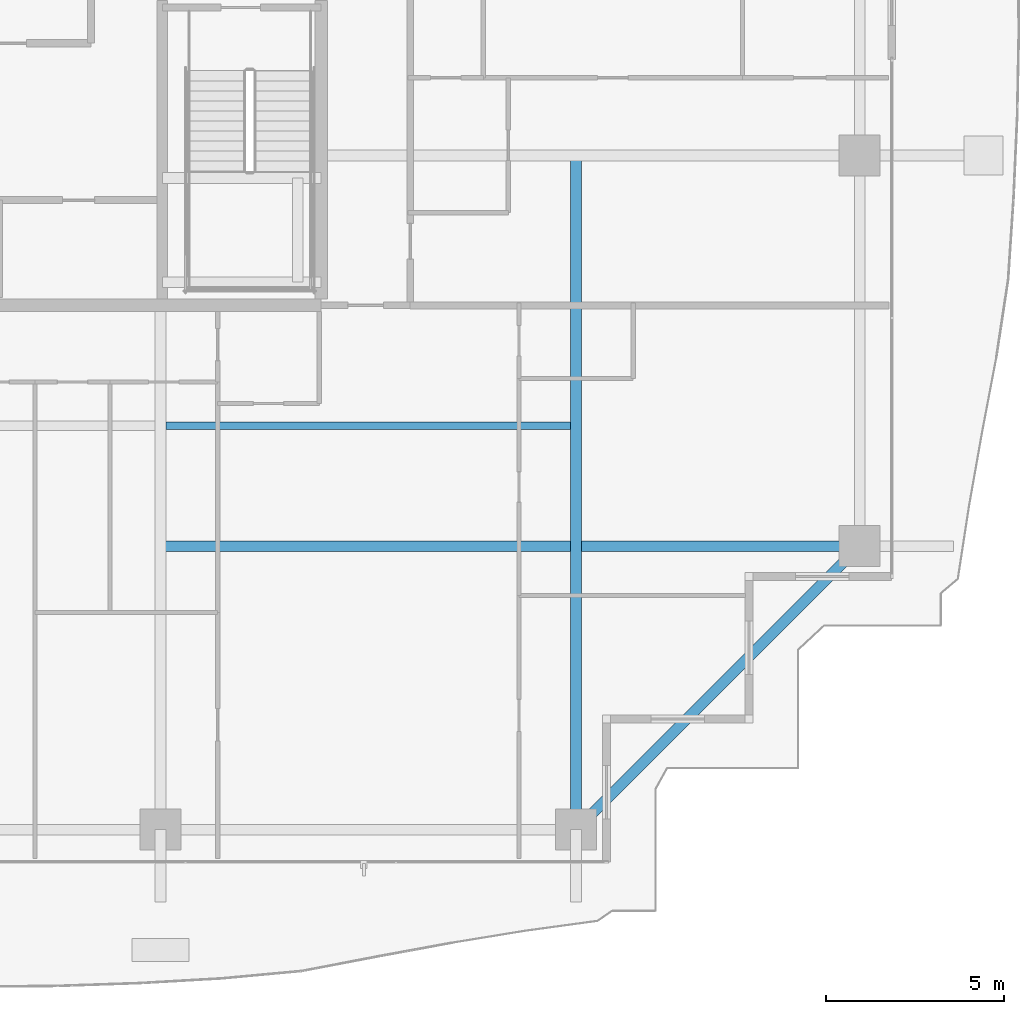
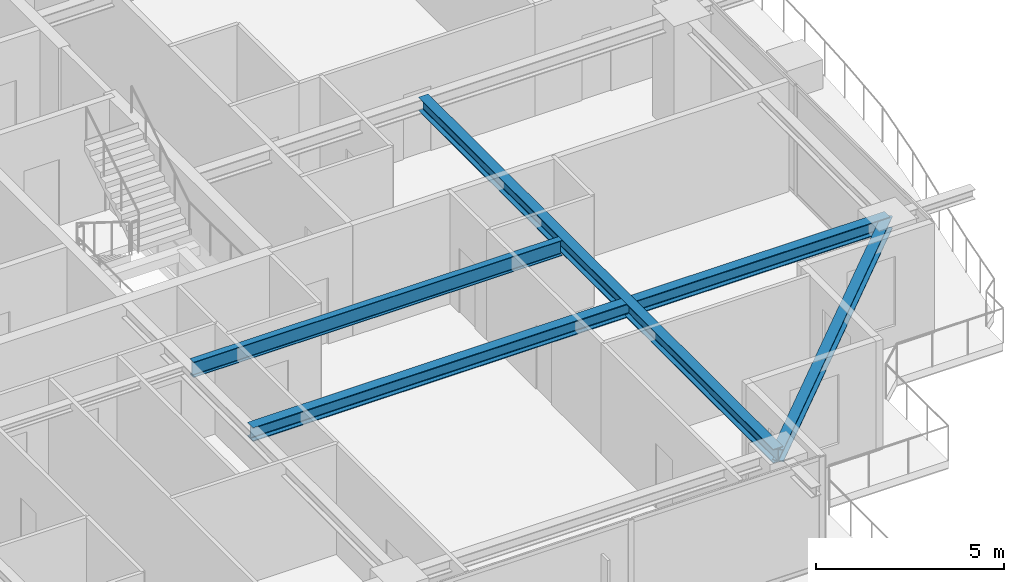
# One storey, part 12 of 37: 4 beams.
"""IFC4 building model written with IfcOpenShell, lengths in metres."""

from ifc_helpers import new_model, si_unit, direction, frame, origin, origin_2d, place, context, subcontext, project, spatial, i_section, extrude, source, transform, mapped, material, material_profile, profile_set, type_object, element, save


model = new_model("IFC4")

# Units and contexts
model_context = context("Model", 3, precision=1e-05, world=origin(), true_north=direction((0.0, 1.0)))
body_context = subcontext(model_context, "Body", "Model", "MODEL_VIEW")
ifc_project = project(units=[si_unit("LENGTHUNIT", "METRE"), si_unit("AREAUNIT", "SQUARE_METRE"), si_unit("VOLUMEUNIT", "CUBIC_METRE"), si_unit("PLANEANGLEUNIT", "RADIAN"), si_unit("MASSUNIT", "GRAM", prefix="KILO")], contexts=[model_context])

# Site, building, storey
site_placement = place(None, origin())
site = spatial("IfcSite", under=ifc_project, at=site_placement, CompositionType="ELEMENT")
building_placement = place(site_placement, origin())
building = spatial("IfcBuilding", under=site, at=building_placement, Name="Serunith Strait Residences", CompositionType="ELEMENT")
storey_placement = place(building_placement, frame((0.0, 0.0, 275.89990234375)))
storey = spatial("IfcBuildingStorey", under=building, at=storey_placement, Name="L69", CompositionType="ELEMENT", Elevation=275.89990234375)

# Beams
ifc_material = material(Name="Steel S355J2", Category="steel")
ifc_material_profile_1 = material_profile(ifc_material, i_section(OverallWidth=0.300048828125, OverallDepth=0.449951171875, WebThickness=0.013916015625, FlangeThickness=0.02587890625, FilletRadius=0.027099609375, at=origin_2d()), Name="HEB 450")
ifc_profile_set_1 = profile_set([ifc_material_profile_1], Name="Steel S355J2")
beam_type_1 = type_object("IfcBeamType", Name="BM-HEB450", PredefinedType="BEAM", material=ifc_profile_set_1)
shared_shape_1 = source(origin(), body_context, "Body", "SweptSolid", [
    extrude(i_section(OverallWidth=0.300048828125, OverallDepth=0.449951171875, WebThickness=0.013916015625, FlangeThickness=0.02587890625, FilletRadius=0.027099609375, at=origin_2d()), origin(), (0.0, 0.0, 1.0), 18.89990234375),
])
beam_1_placement = place(storey_placement, frame((48.550048828125, 21.0, 3.362060546875), z_axis=(0.0, -1.0, 0.0), x_axis=(1.0, 0.0, 0.0)))
element("IfcBeam", 1, at=beam_1_placement, inside=storey, type_object=beam_type_1, Name="L69 Orthogonal Corner Girder TC-S4", PredefinedType="BEAM", context=body_context, shape_type="MappedRepresentation", body=[
    mapped(shared_shape_1, transform((0.0, 0.0, 0.0), scale=1.0)),
])
shared_shape_2 = source(origin(), body_context, "Body", "SweptSolid", [
    extrude(i_section(OverallWidth=0.300048828125, OverallDepth=0.449951171875, WebThickness=0.013916015625, FlangeThickness=0.02587890625, FilletRadius=0.027099609375, at=origin_2d()), origin(), (0.0, 0.0, 1.0), 19.60009765625),
])
beam_2_placement = place(storey_placement, frame((36.89990234375, 10.050048828125, 3.362060546875), z_axis=(1.0, 0.0, 0.0), x_axis=(0.0, 1.0, 0.0)))
element("IfcBeam", 2, at=beam_2_placement, inside=storey, type_object=beam_type_1, Name="L69 Orthogonal Corner Girder TC-E1", PredefinedType="BEAM", context=body_context, shape_type="MappedRepresentation", body=[
    mapped(shared_shape_2, transform((0.0, 0.0, 0.0), scale=1.0)),
])
ifc_material_profile_2 = material_profile(ifc_material, i_section(OverallWidth=0.300048828125, OverallDepth=0.39990234375, WebThickness=0.013427734375, FlangeThickness=0.02392578125, FilletRadius=0.027099609375, at=origin_2d()), Name="HEB 400")
ifc_profile_set_2 = profile_set([ifc_material_profile_2], Name="Steel S355J2")
beam_type_2 = type_object("IfcBeamType", Name="BM-HEB400", PredefinedType="BEAM", material=ifc_profile_set_2)
shared_shape_3 = source(origin(), body_context, "Body", "SweptSolid", [
    extrude(i_section(OverallWidth=0.300048828125, OverallDepth=0.39990234375, WebThickness=0.013427734375, FlangeThickness=0.02392578125, FilletRadius=0.027099609375, at=origin_2d()), origin(), (0.0, 0.0, 1.0), 11.242919921875),
])
beam_3_placement = place(storey_placement, frame((48.550048828125, 2.10009765625, 3.357177734375), z_axis=(0.707106781187, 0.707106781187, 0.0), x_axis=(-0.707106781187, 0.707106781187, 0.0)))
element("IfcBeam", 3, at=beam_3_placement, inside=storey, type_object=beam_type_2, Name="L69 Perimeter Ring Beam 04", PredefinedType="BEAM", context=body_context, shape_type="MappedRepresentation", body=[
    mapped(shared_shape_3, transform((0.0, 0.0, 0.0), scale=1.0)),
])
ifc_material_profile_3 = material_profile(ifc_material, i_section(OverallWidth=0.199951171875, OverallDepth=0.5, WebThickness=0.01025390625, FlangeThickness=0.01611328125, FilletRadius=0.02099609375, at=origin_2d()), Name="IPE 500")
ifc_profile_set_3 = profile_set([ifc_material_profile_3], Name="Steel S355J2")
beam_type_3 = type_object("IfcBeamType", Name="BM-IPE500", PredefinedType="JOIST", material=ifc_profile_set_3)
shared_shape_4 = source(origin(), body_context, "Body", "SweptSolid", [
    extrude(i_section(OverallWidth=0.199951171875, OverallDepth=0.5, WebThickness=0.01025390625, FlangeThickness=0.01611328125, FilletRadius=0.02099609375, at=origin_2d()), origin(), (0.0, 0.0, 1.0), 11.349853515625),
])
beam_4_placement = place(storey_placement, frame((37.050048828125, 13.425048828125, 3.337158203125), z_axis=(1.0, 0.0, 0.0), x_axis=(0.0, 1.0, 0.0)))
element("IfcBeam", 4, at=beam_4_placement, inside=storey, type_object=beam_type_3, Name="L69 Composite Floor Joist 03", PredefinedType="JOIST", context=body_context, shape_type="MappedRepresentation", body=[
    mapped(shared_shape_4, transform((0.0, 0.0, 0.0), scale=1.0)),
])

save(model, "model.ifc")
